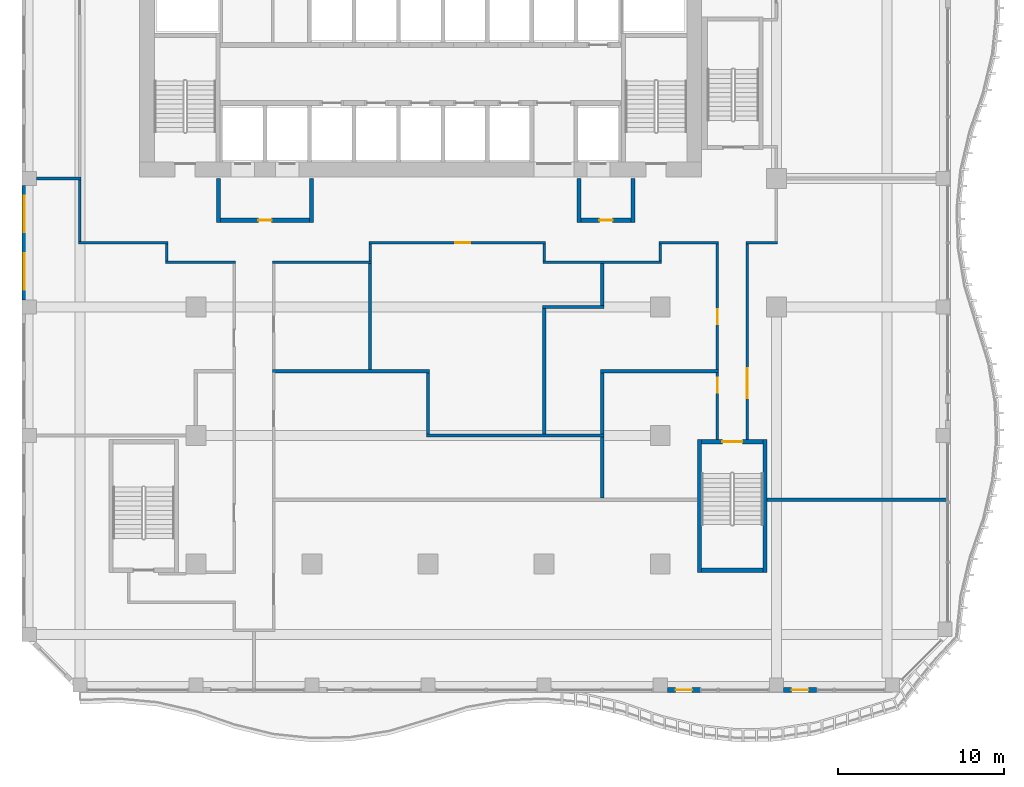
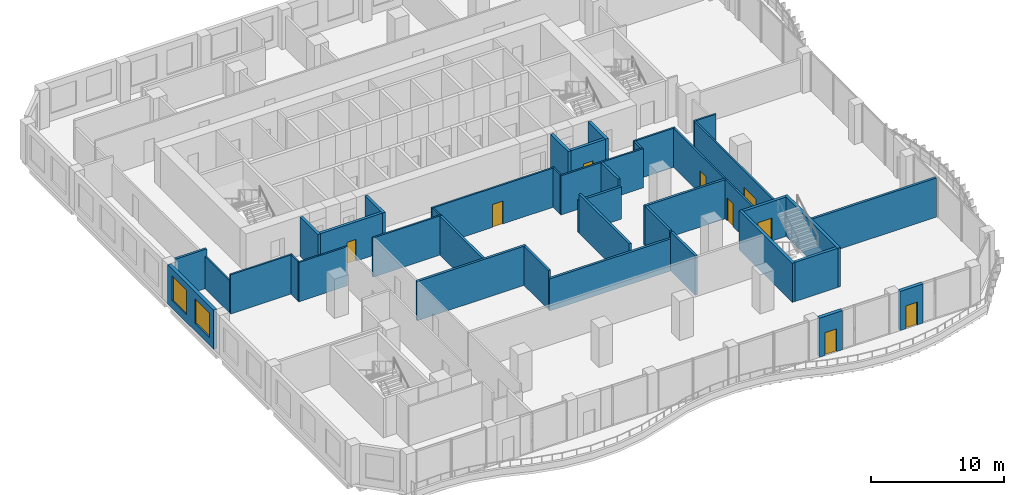
# One storey, part 11 of 19: 40 walls, 9 doors, 2 windows, 11 openings.
"""IFC4 building model written with IfcOpenShell, lengths in metres."""

import ifcopenshell
import ifcopenshell.guid

model = None  # the IFC model being written
_history = None  # IfcOwnerHistory: only IFC2X3 demands one
_inside = {}  # id of a spatial element -> (the spatial element, [elements in it])
_under = {}  # id of a project, library or spatial element -> (it, [spatial elements below it])
_declared = {}  # id of a project -> (the project, [libraries it declares])
_typed = {}  # id of a type object -> (the type object, [elements of that type])
_made_of = {}  # id of a material, layer set ... -> (it, [elements and type objects made of it])


def new_model(schema):
    """Start an empty IFC model of exactly this schema.

    Asked for "IFC4X3", IfcOpenShell would pick the latest addendum, in which some entities
    have other attributes; the version numbers below select the first issue.
    IFC2X3 requires an IfcOwnerHistory on every rooted entity: one is made here for all.
    """
    global model, _history
    if schema == "IFC4X3":
        model = ifcopenshell.file(schema_version=(4, 3, 0, 0))
    else:
        model = ifcopenshell.file(schema=schema)
    _inside.clear()
    _under.clear()
    _declared.clear()
    _typed.clear()
    _made_of.clear()
    _history = None
    if model.schema == "IFC2X3":
        org = make("IfcOrganization", Name="unknown")
        user = make(
            "IfcPersonAndOrganization",
            ThePerson=make("IfcPerson", FamilyName="unknown"),
            TheOrganization=org,
        )
        app = make(
            "IfcApplication",
            ApplicationDeveloper=org,
            Version="unknown",
            ApplicationFullName="unknown",
            ApplicationIdentifier="unknown",
        )
        _history = make(
            "IfcOwnerHistory",
            OwningUser=user,
            OwningApplication=app,
            ChangeAction="ADDED",
            CreationDate=0,
        )
    return model


def make(cls, **values):
    """One entity of the class cls with the attributes given. An attribute that is None is left unset."""
    return model.create_entity(
        cls, **{name: value for name, value in values.items() if value is not None}
    )


def rooted(cls, **values):
    """An entity with a GlobalId (a new one), such as an element, a storey or a relation."""
    return make(cls, GlobalId=ifcopenshell.guid.new(), OwnerHistory=_history, **values)


def si_unit(unit_type, name, prefix=None):
    """IfcSIUnit, for example si_unit("LENGTHUNIT", "METRE", prefix="MILLI")."""
    return make("IfcSIUnit", UnitType=unit_type, Prefix=prefix, Name=name)


def assignment(units):
    """IfcUnitAssignment: the units of a project."""
    return None if units is None else make("IfcUnitAssignment", Units=units)


def point(xyz):
    """IfcCartesianPoint."""
    return None if xyz is None else make("IfcCartesianPoint", Coordinates=xyz)


def direction(xyz):
    """IfcDirection."""
    return None if xyz is None else make("IfcDirection", DirectionRatios=xyz)


def frame(location, z_axis=None, x_axis=None):
    """IfcAxis2Placement3D, a coordinate frame: its origin and axes. An axis left out is left unset."""
    return make(
        "IfcAxis2Placement3D",
        Location=point(location),
        Axis=direction(z_axis),
        RefDirection=direction(x_axis),
    )


def frame_2d(location, x_axis=None):
    """IfcAxis2Placement2D, a coordinate frame in the plane: its origin and x axis."""
    return make(
        "IfcAxis2Placement2D", Location=point(location), RefDirection=direction(x_axis)
    )


def origin():
    """The frame at (0, 0, 0) with its axes left unset."""
    return frame((0.0, 0.0, 0.0))


def place(relative_to, where):
    """IfcLocalPlacement: puts the frame where relative to a parent placement (None: the world)."""
    return make(
        "IfcLocalPlacement", PlacementRelTo=relative_to, RelativePlacement=where
    )


def context(
    kind, dimensions, precision=None, world=None, true_north=None, identifier=None
):
    """IfcGeometricRepresentationContext, for example the 3D "Model" context."""
    return make(
        "IfcGeometricRepresentationContext",
        ContextIdentifier=identifier,
        ContextType=kind,
        CoordinateSpaceDimension=dimensions,
        Precision=precision,
        WorldCoordinateSystem=world,
        TrueNorth=true_north,
    )


def subcontext(parent, identifier, kind, view, scale=None):
    """IfcGeometricRepresentationSubContext, for example "Body" below "Model"."""
    return make(
        "IfcGeometricRepresentationSubContext",
        ContextIdentifier=identifier,
        ContextType=kind,
        ParentContext=parent,
        TargetScale=scale,
        TargetView=view,
    )


def project(units=None, contexts=None):
    """IfcProject with its units and contexts."""
    return rooted(
        "IfcProject",
        Name="project",
        RepresentationContexts=contexts,
        UnitsInContext=assignment(units),
    )


def spatial(cls, under=None, at=None, **own):
    """A site, building, storey or space (cls), placed at a placement, below another one or the project."""
    s = rooted(cls, ObjectPlacement=at, **own)
    if under is not None:
        _under.setdefault(under.id(), (under, []))[1].append(s)
    return s


def profile(cls, at=None, kind="AREA", **sizes):
    """A parametric profile (cls). Its sizes go by their IFC names, for example OverallWidth=200.0."""
    return make(cls, ProfileType=kind, Position=at, **sizes)


def rectangle(**sizes):
    """IfcRectangleProfileDef."""
    return profile("IfcRectangleProfileDef", **sizes)


def extrude(swept, where, along, depth):
    """IfcExtrudedAreaSolid: the profile swept, set in the frame where, extruded along a direction by depth."""
    return make(
        "IfcExtrudedAreaSolid",
        SweptArea=swept,
        Position=where,
        ExtrudedDirection=direction(along),
        Depth=depth,
    )


def shape(context_of_items, identifier, shape_type, items):
    """IfcShapeRepresentation: the items that make up one representation, for example the "Body"."""
    return make(
        "IfcShapeRepresentation",
        ContextOfItems=context_of_items,
        RepresentationIdentifier=identifier,
        RepresentationType=shape_type,
        Items=items,
    )


def source(mapping_origin, context_of_items, identifier, shape_type, items):
    """IfcRepresentationMap: a shape defined once, which mapped items show again and again."""
    return make(
        "IfcRepresentationMap",
        MappingOrigin=mapping_origin,
        MappedRepresentation=shape(context_of_items, identifier, shape_type, items),
    )


def transform(
    local_origin,
    x_axis=None,
    y_axis=None,
    z_axis=None,
    scale=None,
    scale2=None,
    scale3=None,
    uniform=True,
):
    """IfcCartesianTransformationOperator3D, or its non-uniform kind. x_axis, y_axis, z_axis: its Axis1, 2, 3."""
    if uniform:
        return make(
            "IfcCartesianTransformationOperator3D",
            Axis1=direction(x_axis),
            Axis2=direction(y_axis),
            LocalOrigin=point(local_origin),
            Scale=scale,
            Axis3=direction(z_axis),
        )
    return make(
        "IfcCartesianTransformationOperator3DnonUniform",
        Axis1=direction(x_axis),
        Axis2=direction(y_axis),
        LocalOrigin=point(local_origin),
        Scale=scale,
        Axis3=direction(z_axis),
        Scale2=scale2,
        Scale3=scale3,
    )


def mapped(mapping_source, mapping_target):
    """IfcMappedItem: shows the shape of a source again, moved by a transform."""
    return make(
        "IfcMappedItem", MappingSource=mapping_source, MappingTarget=mapping_target
    )


def material(Name=None, Category=None):
    """IfcMaterial."""
    return make("IfcMaterial", Name=Name, Category=Category)


def layer(
    of_material, thickness, ventilated=None, Name=None, Category=None, Priority=None
):
    """IfcMaterialLayer: one layer of a wall or slab, of a material (None: an air gap)."""
    return make(
        "IfcMaterialLayer",
        Material=of_material,
        LayerThickness=thickness,
        IsVentilated=ventilated,
        Name=Name,
        Category=Category,
        Priority=Priority,
    )


def layer_set(layers, Name=None):
    """IfcMaterialLayerSet."""
    return make("IfcMaterialLayerSet", MaterialLayers=layers, LayerSetName=Name)


def made_of(thing, what):
    """Note that an element or type object is made of a material, layer set ...; save() writes the relation."""
    if what is not None:
        _made_of.setdefault(what.id(), (what, []))[1].append(thing)
    return thing


def type_object(cls, material=None, **own):
    """A type object (cls), such as IfcWallType, which elements share."""
    return made_of(rooted(cls, **own), material)


def element(
    cls,
    number,
    at=None,
    inside=None,
    cuts=None,
    type_object=None,
    material=None,
    context=None,
    identifier="Body",
    shape_type=None,
    held_by="IfcProductDefinitionShape",
    body=None,
    shapes=None,
    **own,
):
    """One element of the class cls, such as IfcWall. Its Tag is "e" and its number.

    at: its placement. inside: the storey or other place that contains it. cuts: it is an
    opening in that element (IfcRelVoidsElement). A single representation is given by context,
    identifier, shape_type and body (its items); several are given by shapes. held_by: the class
    of the entity that holds the representations. save() writes the other relations.
    """
    e = rooted(cls, Tag="e%d" % number, ObjectPlacement=at, **own)
    if body is not None:
        shapes = [shape(context, identifier, shape_type, body)]
    if shapes is not None:
        e.Representation = make(held_by, Representations=shapes)
    if inside is not None:
        _inside.setdefault(inside.id(), (inside, []))[1].append(e)
    if cuts is not None:
        rooted(
            "IfcRelVoidsElement", RelatingBuildingElement=cuts, RelatedOpeningElement=e
        )
    if type_object is not None:
        _typed.setdefault(type_object.id(), (type_object, []))[1].append(e)
    return made_of(e, material)


def fill(opening, filler):
    """IfcRelFillsElement: the door or window that sits in an opening."""
    return rooted(
        "IfcRelFillsElement",
        RelatingOpeningElement=opening,
        RelatedBuildingElement=filler,
    )


def aggregate(whole, parts):
    """IfcRelAggregates: a whole, such as a stair, and the parts it consists of."""
    return rooted("IfcRelAggregates", RelatingObject=whole, RelatedObjects=parts)


def save(model, path):
    """Write the relations noted so far, then the file.

    IfcRelAggregates (storeys below a building ...), IfcRelContainedInSpatialStructure (elements
    in a storey), IfcRelDefinesByType, IfcRelAssociatesMaterial and IfcRelDeclares: one each for
    every whole, place, type object, material and project.
    """
    for whole, parts in _under.values():
        aggregate(whole, parts)
    for where, things in _inside.values():
        rooted(
            "IfcRelContainedInSpatialStructure",
            RelatedElements=things,
            RelatingStructure=where,
        )
    for kind, things in _typed.values():
        rooted("IfcRelDefinesByType", RelatedObjects=things, RelatingType=kind)
    for what, things in _made_of.values():
        rooted("IfcRelAssociatesMaterial", RelatedObjects=things, RelatingMaterial=what)
    for by, libraries in _declared.values():
        rooted("IfcRelDeclares", RelatingContext=by, RelatedDefinitions=libraries)
    model.write(path)


model = new_model("IFC4")

# Units and contexts
model_context = context("Model", 3, precision=1e-05, world=origin(), true_north=direction((0.0, 1.0)))
body_context = subcontext(model_context, "Body", "Model", "MODEL_VIEW")
ifc_project = project(units=[si_unit("LENGTHUNIT", "METRE"), si_unit("AREAUNIT", "SQUARE_METRE"), si_unit("VOLUMEUNIT", "CUBIC_METRE"), si_unit("PLANEANGLEUNIT", "RADIAN"), si_unit("MASSUNIT", "GRAM", prefix="KILO")], contexts=[model_context])

# Site, building, storey
site_placement = place(None, origin())
site = spatial("IfcSite", under=ifc_project, at=site_placement, CompositionType="ELEMENT")
building_placement = place(site_placement, origin())
building = spatial("IfcBuilding", under=site, at=building_placement, Name="Kilnfold Tower and Market Hall", CompositionType="ELEMENT")
storey_placement = place(building_placement, frame((0.0, 0.0, 124.60009765625)))
storey = spatial("IfcBuildingStorey", under=building, at=storey_placement, Name="L29", CompositionType="ELEMENT", Elevation=124.60009765625)

# Walls
ifc_material_1 = material(Name="Gypsum board on steel studs", Category="steel")
ifc_layer_1 = layer(ifc_material_1, 0.14990234375)
ifc_layer_set_1 = layer_set([ifc_layer_1], Name="Gypsum board on steel studs")
wall_type_1 = type_object("IfcWallType", Name="WALL CORRIDOR 150", PredefinedType="PARTITIONING", material=ifc_layer_set_1)
wall_1_placement = place(storey_placement, frame((-14.3349609375, 2.949951171875, 0.0), z_axis=(0.0, 0.0, 1.0), x_axis=(1.0, 0.0, 0.0)))
element("IfcWall", 1, at=wall_1_placement, inside=storey, type_object=wall_type_1, Name="Partition LY18.2", PredefinedType="PARTITIONING", context=body_context, shape_type="SweptSolid", body=[
    extrude(rectangle(XDim=4.2099609375, YDim=0.14990234375, at=frame_2d((2.10498046875, 0.0))), origin(), (0.0, 0.0, 1.0), 3.599853515625),
])
wall_2_placement = place(storey_placement, frame((-14.260009765625, 4.050048828125, 0.0), z_axis=(0.0, 0.0, 1.0), x_axis=(0.0, -1.0, 0.0)))
element("IfcWall", 2, at=wall_2_placement, inside=storey, type_object=wall_type_1, Name="Partition LY18.3", PredefinedType="PARTITIONING", context=body_context, shape_type="SweptSolid", body=[
    extrude(rectangle(XDim=1.025146484375, YDim=0.14990234375, at=frame_2d((0.5126953125, 0.0))), origin(), (0.0, 0.0, 1.0), 3.599853515625),
])
wall_3_placement = place(storey_placement, frame((-19.574951171875, 4.125, 0.0), z_axis=(0.0, 0.0, 1.0), x_axis=(1.0, 0.0, 0.0)))
element("IfcWall", 3, at=wall_3_placement, inside=storey, type_object=wall_type_1, Name="Partition LY18.4", PredefinedType="PARTITIONING", context=body_context, shape_type="SweptSolid", body=[
    extrude(rectangle(XDim=5.389892578125, YDim=0.14990234375, at=frame_2d((2.69482421875, 0.0))), origin(), (0.0, 0.0, 1.0), 3.599853515625),
])
wall_4_placement = place(storey_placement, frame((-19.5, 4.199951171875, 0.0), z_axis=(0.0, 0.0, 1.0), x_axis=(0.0, 1.0, 0.0)))
element("IfcWall", 4, at=wall_4_placement, inside=storey, type_object=wall_type_1, Name="Partition LY18.5", PredefinedType="PARTITIONING", context=body_context, shape_type="SweptSolid", body=[
    extrude(rectangle(XDim=3.7099609375, YDim=0.14990234375, at=frame_2d((1.85498046875, 0.0))), origin(), (0.0, 0.0, 1.0), 2.949951171875),
])
wall_5_placement = place(storey_placement, frame((-7.875, 2.949951171875, 0.0), z_axis=(0.0, 0.0, 1.0), x_axis=(1.0, 0.0, 0.0)))
element("IfcWall", 5, at=wall_5_placement, inside=storey, type_object=wall_type_1, Name="Partition LY18.13", PredefinedType="PARTITIONING", context=body_context, shape_type="SweptSolid", body=[
    extrude(rectangle(XDim=5.97509765625, YDim=0.14990234375, at=frame_2d((2.987548828125, 0.0))), origin(), (0.0, 0.0, 1.0), 3.599853515625),
])
wall_6_placement = place(storey_placement, frame((8.425048828125, 2.949951171875, 0.0), z_axis=(0.0, 0.0, 1.0), x_axis=(1.0, 0.0, 0.0)))
element("IfcWall", 6, at=wall_6_placement, inside=storey, type_object=wall_type_1, Name="Partition LY18.17", PredefinedType="PARTITIONING", context=body_context, shape_type="SweptSolid", body=[
    extrude(rectangle(XDim=7.14990234375, YDim=0.14990234375, at=frame_2d((3.574951171875, 0.0))), origin(), (0.0, 0.0, 1.0), 3.599853515625),
])
wall_7_placement = place(storey_placement, frame((8.5, 4.050048828125, 0.0), z_axis=(0.0, 0.0, 1.0), x_axis=(0.0, -1.0, 0.0)))
element("IfcWall", 7, at=wall_7_placement, inside=storey, type_object=wall_type_1, Name="Partition LY18.18", PredefinedType="PARTITIONING", context=body_context, shape_type="SweptSolid", body=[
    extrude(rectangle(XDim=1.025146484375, YDim=0.14990234375, at=frame_2d((0.5126953125, 0.0))), origin(), (0.0, 0.0, 1.0), 3.599853515625),
])

# Wall, opening, door
wall_8_placement = place(storey_placement, frame((-2.074951171875, 4.125, 0.0), z_axis=(0.0, 0.0, 1.0), x_axis=(1.0, 0.0, 0.0)))
wall_8 = element("IfcWall", 8, at=wall_8_placement, inside=storey, type_object=wall_type_1, Name="Partition LY18.19", PredefinedType="PARTITIONING", context=body_context, shape_type="SweptSolid", body=[
    extrude(rectangle(XDim=10.64990234375, YDim=0.14990234375, at=frame_2d((5.324951171875, 0.0))), origin(), (0.0, 0.0, 1.0), 3.599853515625),
])
opening_1_placement = place(wall_8_placement, frame((5.22705078125, 0.0, 0.0)))
opening_1 = element("IfcOpeningElement", 9, at=opening_1_placement, cuts=wall_8, Name="Opening D2", PredefinedType="OPENING", context=body_context, shape_type="SweptSolid", body=[
    extrude(rectangle(XDim=0.89990234375, YDim=2.10009765625, at=frame_2d((0.449951171875, 1.050048828125))), frame((0.0, 0.0849609375, 0.0), z_axis=(0.0, -1.0, 0.0), x_axis=(1.0, 0.0, 0.0)), (0.0, 0.0, 1.0), 0.169921875),
])
ifc_material_2 = material(Name="Timber veneer door leaf in steel frame", Category="steel")
door_type_1 = type_object("IfcDoorType", Name="DOOR ROOM 900 X2100", OperationType="NOTDEFINED", PredefinedType="DOOR", material=ifc_material_2)
door_1_placement = place(opening_1_placement, origin())
door_1 = element("IfcDoor", 10, at=door_1_placement, inside=storey, type_object=door_type_1, Name="Door D2", OperationType="SINGLE_SWING_LEFT", OverallHeight=2.10009765625, OverallWidth=0.89990234375, PredefinedType="DOOR", context=body_context, shape_type="SweptSolid", body=[
    extrude(rectangle(XDim=0.89990234375, YDim=2.10009765625, at=frame_2d((0.449951171875, 1.050048828125))), frame((0.0, 0.02490234375, 0.0), z_axis=(0.0, -1.0, 0.0), x_axis=(1.0, 0.0, 0.0)), (0.0, 0.0, 1.0), 0.050048828125),
])
fill(opening_1, door_1)

# Wall
wall_9_placement = place(storey_placement, frame((-2.0, 3.02490234375, 0.0), z_axis=(0.0, 0.0, 1.0), x_axis=(0.0, 1.0, 0.0)))
element("IfcWall", 11, at=wall_9_placement, inside=storey, type_object=wall_type_1, Name="Partition LY18.20", PredefinedType="PARTITIONING", context=body_context, shape_type="SweptSolid", body=[
    extrude(rectangle(XDim=1.025146484375, YDim=0.14990234375, at=frame_2d((0.5126953125, 0.0))), origin(), (0.0, 0.0, 1.0), 3.599853515625),
])

# Wall, opening, door
wall_10_placement = place(storey_placement, frame((18.949951171875, -7.75, 0.0), z_axis=(0.0, 0.0, 1.0), x_axis=(0.0, 1.0, 0.0)))
wall_10 = element("IfcWall", 12, at=wall_10_placement, inside=storey, type_object=wall_type_1, Name="Partition LY18.21", PredefinedType="PARTITIONING", context=body_context, shape_type="SweptSolid", body=[
    extrude(rectangle(XDim=4.034912109375, YDim=0.14990234375, at=frame_2d((2.017578125, 0.0))), origin(), (0.0, 0.0, 1.0), 3.599853515625),
])
opening_2_placement = place(wall_10_placement, frame((2.833984375, 0.0, 0.0)))
opening_2 = element("IfcOpeningElement", 13, at=opening_2_placement, cuts=wall_10, Name="Opening D3", PredefinedType="OPENING", context=body_context, shape_type="SweptSolid", body=[
    extrude(rectangle(XDim=0.89990234375, YDim=2.10009765625, at=frame_2d((0.449951171875, 1.050048828125))), frame((0.0, 0.0849609375, 0.0), z_axis=(0.0, -1.0, 0.0), x_axis=(1.0, 0.0, 0.0)), (0.0, 0.0, 1.0), 0.169921875),
])
ifc_material_3 = material(Name="Timber veneer door leaf in steel frame", Category="steel")
door_type_2 = type_object("IfcDoorType", Name="DOOR WC 900 X2100", OperationType="NOTDEFINED", PredefinedType="DOOR", material=ifc_material_3)
door_2_placement = place(opening_2_placement, origin())
door_2 = element("IfcDoor", 14, at=door_2_placement, inside=storey, type_object=door_type_2, Name="Door D3", OperationType="SINGLE_SWING_RIGHT", OverallHeight=2.10009765625, OverallWidth=0.89990234375, PredefinedType="DOOR", context=body_context, shape_type="SweptSolid", body=[
    extrude(rectangle(XDim=0.89990234375, YDim=2.10009765625, at=frame_2d((0.449951171875, 1.050048828125))), frame((0.0, 0.02490234375, 0.0), z_axis=(0.0, -1.0, 0.0), x_axis=(1.0, 0.0, 0.0)), (0.0, 0.0, 1.0), 0.050048828125),
])
fill(opening_2, door_2)

# Wall
wall_11_placement = place(storey_placement, frame((20.675048828125, 4.125, 0.0), z_axis=(0.0, 0.0, 1.0), x_axis=(1.0, 0.0, 0.0)))
element("IfcWall", 15, at=wall_11_placement, inside=storey, type_object=wall_type_1, Name="Partition LY18.23", PredefinedType="PARTITIONING", context=body_context, shape_type="SweptSolid", body=[
    extrude(rectangle(XDim=1.89990234375, YDim=0.14990234375, at=frame_2d((0.949951171875, 0.0))), origin(), (0.0, 0.0, 1.0), 3.599853515625),
])

# Wall, opening, door
wall_12_placement = place(storey_placement, frame((20.75, -7.75, 0.0), z_axis=(0.0, 0.0, 1.0), x_axis=(0.0, 1.0, 0.0)))
wall_12 = element("IfcWall", 16, at=wall_12_placement, inside=storey, type_object=wall_type_1, Name="Partition LY18.24", PredefinedType="PARTITIONING", context=body_context, shape_type="SweptSolid", body=[
    extrude(rectangle(XDim=11.800048828125, YDim=0.14990234375, at=frame_2d((5.89990234375, 0.0))), origin(), (0.0, 0.0, 1.0), 3.599853515625),
])
opening_3_placement = place(wall_12_placement, frame((2.5, 0.0, 0.0)))
opening_3 = element("IfcOpeningElement", 17, at=opening_3_placement, cuts=wall_12, Name="Opening D5", PredefinedType="OPENING", context=body_context, shape_type="SweptSolid", body=[
    extrude(rectangle(XDim=1.800048828125, YDim=2.10009765625, at=frame_2d((0.89990234375, 1.050048828125))), frame((0.0, 0.0849609375, 0.0), z_axis=(0.0, -1.0, 0.0), x_axis=(1.0, 0.0, 0.0)), (0.0, 0.0, 1.0), 0.169921875),
])
ifc_material_4 = material(Name="Timber veneer door leaf in steel frame", Category="steel")
door_type_3 = type_object("IfcDoorType", Name="DOOR DOUBLE 1800 X2100", OperationType="NOTDEFINED", PredefinedType="DOOR", material=ifc_material_4)
door_3_placement = place(opening_3_placement, origin())
door_3 = element("IfcDoor", 18, at=door_3_placement, inside=storey, type_object=door_type_3, Name="Door D5", OperationType="DOUBLE_DOOR_SINGLE_SWING", OverallHeight=2.10009765625, OverallWidth=1.800048828125, PredefinedType="DOOR", context=body_context, shape_type="SweptSolid", body=[
    extrude(rectangle(XDim=1.800048828125, YDim=2.10009765625, at=frame_2d((0.89990234375, 1.050048828125))), frame((0.0, 0.02490234375, 0.0), z_axis=(0.0, -1.0, 0.0), x_axis=(1.0, 0.0, 0.0)), (0.0, 0.0, 1.0), 0.050048828125),
])
fill(opening_3, door_3)

wall_13_placement = place(storey_placement, frame((18.949951171875, -3.534912109375, 0.0), z_axis=(0.0, 0.0, 1.0), x_axis=(0.0, 1.0, 0.0)))
wall_13 = element("IfcWall", 19, at=wall_13_placement, inside=storey, type_object=wall_type_1, Name="Partition LY18.25", PredefinedType="PARTITIONING", context=body_context, shape_type="SweptSolid", body=[
    extrude(rectangle(XDim=7.5849609375, YDim=0.14990234375, at=frame_2d((3.79248046875, 0.0))), origin(), (0.0, 0.0, 1.0), 3.599853515625),
])
opening_4_placement = place(wall_13_placement, frame((2.73388671875, 0.0, 0.0)))
opening_4 = element("IfcOpeningElement", 20, at=opening_4_placement, cuts=wall_13, Name="Opening D2", PredefinedType="OPENING", context=body_context, shape_type="SweptSolid", body=[
    extrude(rectangle(XDim=0.89990234375, YDim=2.10009765625, at=frame_2d((0.449951171875, 1.050048828125))), frame((0.0, 0.0849609375, 0.0), z_axis=(0.0, -1.0, 0.0), x_axis=(1.0, 0.0, 0.0)), (0.0, 0.0, 1.0), 0.169921875),
])
door_4_placement = place(opening_4_placement, origin())
door_4 = element("IfcDoor", 21, at=door_4_placement, inside=storey, type_object=door_type_1, Name="Door D2", OperationType="SINGLE_SWING_RIGHT", OverallHeight=2.10009765625, OverallWidth=0.89990234375, PredefinedType="DOOR", context=body_context, shape_type="SweptSolid", body=[
    extrude(rectangle(XDim=0.89990234375, YDim=2.10009765625, at=frame_2d((0.449951171875, 1.050048828125))), frame((0.0, 0.02490234375, 0.0), z_axis=(0.0, -1.0, 0.0), x_axis=(1.0, 0.0, 0.0)), (0.0, 0.0, 1.0), 0.050048828125),
])
fill(opening_4, door_4)

# Walls
wall_14_placement = place(storey_placement, frame((15.425048828125, 4.125, 0.0), z_axis=(0.0, 0.0, 1.0), x_axis=(1.0, 0.0, 0.0)))
element("IfcWall", 22, at=wall_14_placement, inside=storey, type_object=wall_type_1, Name="Partition LY18.26", PredefinedType="PARTITIONING", context=body_context, shape_type="SweptSolid", body=[
    extrude(rectangle(XDim=3.599853515625, YDim=0.14990234375, at=frame_2d((1.7998046875, 0.0))), origin(), (0.0, 0.0, 1.0), 3.599853515625),
])
wall_15_placement = place(storey_placement, frame((15.5, 3.02490234375, 0.0), z_axis=(0.0, 0.0, 1.0), x_axis=(0.0, 1.0, 0.0)))
element("IfcWall", 23, at=wall_15_placement, inside=storey, type_object=wall_type_1, Name="Partition LY18.27", PredefinedType="PARTITIONING", context=body_context, shape_type="SweptSolid", body=[
    extrude(rectangle(XDim=1.025146484375, YDim=0.14990234375, at=frame_2d((0.5126953125, 0.0))), origin(), (0.0, 0.0, 1.0), 3.599853515625),
])
ifc_material_5 = material(Name="Gypsum board on steel studs", Category="steel")
ifc_layer_2 = layer(ifc_material_5, 0.199951171875)
ifc_layer_set_2 = layer_set([ifc_layer_2], Name="Gypsum board on steel studs")
wall_type_2 = type_object("IfcWallType", Name="WALL PARTY 200", PredefinedType="PARTITIONING", material=ifc_layer_set_2)
wall_16_placement = place(storey_placement, frame((-22.125, 8.0, 0.0), z_axis=(0.0, 0.0, 1.0), x_axis=(1.0, 0.0, 0.0)))
element("IfcWall", 24, at=wall_16_placement, inside=storey, type_object=wall_type_2, Name="Partition LY18.39", PredefinedType="PARTITIONING", context=body_context, shape_type="SweptSolid", body=[
    extrude(rectangle(XDim=2.698974609375, YDim=0.199951171875, at=frame_2d((1.349609375, 0.0))), origin(), (0.0, 0.0, 1.0), 3.599853515625),
])
wall_17_placement = place(storey_placement, frame((-7.8740234375, -3.625, 0.0), z_axis=(0.0, 0.0, 1.0), x_axis=(1.0, 0.0, 0.0)))
element("IfcWall", 25, at=wall_17_placement, inside=storey, type_object=wall_type_2, Name="Partition LY18.41", PredefinedType="PARTITIONING", context=body_context, shape_type="SweptSolid", body=[
    extrude(rectangle(XDim=9.47412109375, YDim=0.199951171875, at=frame_2d((4.737060546875, 0.0))), origin(), (0.0, 0.0, 1.0), 3.599853515625),
])
wall_18_placement = place(storey_placement, frame((-2.0, -3.52490234375, 0.0), z_axis=(0.0, 0.0, 1.0), x_axis=(0.0, 1.0, 0.0)))
element("IfcWall", 26, at=wall_18_placement, inside=storey, type_object=wall_type_2, Name="Partition LY18.42", PredefinedType="PARTITIONING", context=body_context, shape_type="SweptSolid", body=[
    extrude(rectangle(XDim=6.39892578125, YDim=0.199951171875, at=frame_2d((3.199462890625, 0.0))), origin(), (0.0, 0.0, 1.0), 3.599853515625),
])
wall_19_placement = place(storey_placement, frame((1.5, -7.39990234375, 0.0), z_axis=(0.0, 0.0, 1.0), x_axis=(0.0, 1.0, 0.0)))
element("IfcWall", 27, at=wall_19_placement, inside=storey, type_object=wall_type_2, Name="Partition LY18.44", PredefinedType="PARTITIONING", context=body_context, shape_type="SweptSolid", body=[
    extrude(rectangle(XDim=3.6748046875, YDim=0.199951171875, at=frame_2d((1.83740234375, 0.0))), origin(), (0.0, 0.0, 1.0), 3.599853515625),
])
wall_20_placement = place(storey_placement, frame((1.39990234375, -7.5, 0.0), z_axis=(0.0, 0.0, 1.0), x_axis=(1.0, 0.0, 0.0)))
element("IfcWall", 28, at=wall_20_placement, inside=storey, type_object=wall_type_2, Name="Partition LY18.45", PredefinedType="PARTITIONING", context=body_context, shape_type="SweptSolid", body=[
    extrude(rectangle(XDim=10.7001953125, YDim=0.199951171875, at=frame_2d((5.35009765625, 0.0))), origin(), (0.0, 0.0, 1.0), 2.949951171875),
])
wall_21_placement = place(storey_placement, frame((12.0, -11.27490234375, 0.0), z_axis=(0.0, 0.0, 1.0), x_axis=(0.0, 1.0, 0.0)))
element("IfcWall", 29, at=wall_21_placement, inside=storey, type_object=wall_type_2, Name="Partition LY18.46", PredefinedType="PARTITIONING", context=body_context, shape_type="SweptSolid", body=[
    extrude(rectangle(XDim=3.6748046875, YDim=0.199951171875, at=frame_2d((1.83740234375, 0.0))), origin(), (0.0, 0.0, 1.0), 3.599853515625),
])
wall_22_placement = place(storey_placement, frame((21.949951171875, -11.375, 0.0), z_axis=(0.0, 0.0, 1.0), x_axis=(1.0, 0.0, 0.0)))
element("IfcWall", 30, at=wall_22_placement, inside=storey, type_object=wall_type_2, Name="Partition LY18.47", PredefinedType="PARTITIONING", context=body_context, shape_type="SweptSolid", body=[
    extrude(rectangle(XDim=10.800048828125, YDim=0.199951171875, at=frame_2d((5.39990234375, 0.0))), origin(), (0.0, 0.0, 1.0), 3.599853515625),
])
wall_23_placement = place(storey_placement, frame((12.0, 0.35009765625, 0.0), z_axis=(0.0, 0.0, 1.0), x_axis=(0.0, 1.0, 0.0)))
element("IfcWall", 31, at=wall_23_placement, inside=storey, type_object=wall_type_2, Name="Partition LY18.48", PredefinedType="PARTITIONING", context=body_context, shape_type="SweptSolid", body=[
    extrude(rectangle(XDim=2.52392578125, YDim=0.199951171875, at=frame_2d((1.261962890625, 0.0))), origin(), (0.0, 0.0, 1.0), 3.599853515625),
])
wall_24_placement = place(storey_placement, frame((8.39990234375, 0.25, 0.0), z_axis=(0.0, 0.0, 1.0), x_axis=(1.0, 0.0, 0.0)))
element("IfcWall", 32, at=wall_24_placement, inside=storey, type_object=wall_type_2, Name="Partition LY18.49", PredefinedType="PARTITIONING", context=body_context, shape_type="SweptSolid", body=[
    extrude(rectangle(XDim=3.7001953125, YDim=0.199951171875, at=frame_2d((1.85009765625, 0.0))), origin(), (0.0, 0.0, 1.0), 2.949951171875),
])
wall_25_placement = place(storey_placement, frame((8.5, -7.39990234375, 0.0), z_axis=(0.0, 0.0, 1.0), x_axis=(0.0, 1.0, 0.0)))
element("IfcWall", 33, at=wall_25_placement, inside=storey, type_object=wall_type_2, Name="Partition LY18.50", PredefinedType="PARTITIONING", context=body_context, shape_type="SweptSolid", body=[
    extrude(rectangle(XDim=7.5498046875, YDim=0.199951171875, at=frame_2d((3.77490234375, 0.0))), origin(), (0.0, 0.0, 1.0), 3.599853515625),
])
wall_26_placement = place(storey_placement, frame((12.0, -7.409912109375, 0.0), z_axis=(0.0, 0.0, 1.0), x_axis=(0.0, 1.0, 0.0)))
element("IfcWall", 34, at=wall_26_placement, inside=storey, type_object=wall_type_2, Name="Partition LY18.51", PredefinedType="PARTITIONING", context=body_context, shape_type="SweptSolid", body=[
    extrude(rectangle(XDim=3.684814453125, YDim=0.199951171875, at=frame_2d((1.84228515625, 0.0))), origin(), (0.0, 0.0, 1.0), 3.599853515625),
])
wall_27_placement = place(storey_placement, frame((11.89990234375, -3.625, 0.0), z_axis=(0.0, 0.0, 1.0), x_axis=(1.0, 0.0, 0.0)))
element("IfcWall", 35, at=wall_27_placement, inside=storey, type_object=wall_type_2, Name="Partition LY18.52", PredefinedType="PARTITIONING", context=body_context, shape_type="SweptSolid", body=[
    extrude(rectangle(XDim=7.1240234375, YDim=0.199951171875, at=frame_2d((3.56201171875, 0.0))), origin(), (0.0, 0.0, 1.0), 3.599853515625),
])
ifc_material_6 = material(Name="Concrete C70", Category="concrete")
ifc_layer_3 = layer(ifc_material_6, 0.25)
ifc_layer_set_3 = layer_set([ifc_layer_3], Name="Concrete C70")
wall_type_3 = type_object("IfcWallType", Name="CORE WALL 250 C70", PredefinedType="SHEAR", material=ifc_layer_set_3)
shared_shape_1 = source(origin(), body_context, "Body", "SweptSolid", [
    extrude(rectangle(XDim=3.699951171875, YDim=0.25, at=frame_2d((1.85009765625, 0.0))), origin(), (0.0, 0.0, 1.0), 3.599853515625),
])
wall_28_placement = place(storey_placement, frame((18.0, -15.625, 0.0), z_axis=(0.0, 0.0, 1.0), x_axis=(1.0, 0.0, 0.0)))
element("IfcWall", 36, at=wall_28_placement, inside=storey, type_object=wall_type_3, Name="Stair enclosure ST4", PredefinedType="SHEAR", context=body_context, shape_type="MappedRepresentation", body=[
    mapped(shared_shape_1, transform((0.0, 0.0, 0.0))),
])

# Wall, opening, door
wall_29_placement = place(storey_placement, frame((18.0, -7.875, 0.0), z_axis=(0.0, 0.0, 1.0), x_axis=(1.0, 0.0, 0.0)))
wall_29 = element("IfcWall", 37, at=wall_29_placement, inside=storey, type_object=wall_type_3, Name="Stair enclosure ST4", PredefinedType="SHEAR", context=body_context, shape_type="MappedRepresentation", body=[
    mapped(shared_shape_1, transform((0.0, 0.0, 0.0))),
])
opening_5_placement = place(wall_29_placement, frame((1.25, 0.0, 0.0)))
opening_5 = element("IfcOpeningElement", 38, at=opening_5_placement, cuts=wall_29, Name="Opening SD1", PredefinedType="OPENING", context=body_context, shape_type="SweptSolid", body=[
    extrude(rectangle(XDim=1.199951171875, YDim=2.10009765625, at=frame_2d((0.60009765625, 1.050048828125))), frame((0.0, 0.135009765625, 0.0), z_axis=(0.0, -1.0, 0.0), x_axis=(1.0, 0.0, 0.0)), (0.0, 0.0, 1.0), 0.27001953125),
])
ifc_material_7 = material(Name="Steel door set with fire-resisting leaf", Category="steel")
door_type_4 = type_object("IfcDoorType", Name="STAIR FLOOR DOOR 1200X2100", OperationType="NOTDEFINED", PredefinedType="DOOR", material=ifc_material_7)
door_5_placement = place(opening_5_placement, origin())
door_5 = element("IfcDoor", 39, at=door_5_placement, inside=storey, type_object=door_type_4, Name="Exit stair ST4 door", OperationType="DOUBLE_DOOR_SINGLE_SWING", OverallHeight=2.10009765625, OverallWidth=1.199951171875, PredefinedType="DOOR", context=body_context, shape_type="SweptSolid", body=[
    extrude(rectangle(XDim=1.199951171875, YDim=2.10009765625, at=frame_2d((0.60009765625, 1.050048828125))), frame((0.0, 0.02490234375, 0.0), z_axis=(0.0, -1.0, 0.0), x_axis=(1.0, 0.0, 0.0)), (0.0, 0.0, 1.0), 0.050048828125),
])
fill(opening_5, door_5)

# Walls
shared_shape_2 = source(origin(), body_context, "Body", "SweptSolid", [
    extrude(rectangle(XDim=8.0, YDim=0.25, at=frame_2d((4.0, 0.0))), origin(), (0.0, 0.0, 1.0), 3.599853515625),
])
for number, where, z_axis, x_axis, name in (
    (40, (17.875, -15.75, 0.0), (0.0, 0.0, 1.0), (0.0, 1.0, 0.0), "Stair enclosure ST4"),
    (41, (21.824951171875, -15.75, 0.0), (0.0, 0.0, 1.0), (0.0, 1.0, 0.0), "Stair enclosure ST4"),
):
    element("IfcWall", number, at=place(storey_placement, frame(where, z_axis=z_axis, x_axis=x_axis)), inside=storey, type_object=wall_type_3, Name=name, PredefinedType="SHEAR", context=body_context, shape_type="MappedRepresentation", body=[
        mapped(shared_shape_2, transform((0.0, 0.0, 0.0))),
    ])

# Wall, opening, door
ifc_material_8 = material(Name="Precast concrete C50/60", Category="concrete")
ifc_layer_4 = layer(ifc_material_8, 0.300048828125)
ifc_layer_set_4 = layer_set([ifc_layer_4], Name="Precast concrete C50/60")
wall_type_4 = type_object("IfcWallType", Name="PRECAST WALL 300", PredefinedType="SOLIDWALL", material=ifc_layer_set_4)
shared_shape_3 = source(origin(), body_context, "Body", "SweptSolid", [
    extrude(rectangle(XDim=2.0, YDim=0.300048828125, at=frame_2d((1.0, 0.0))), origin(), (0.0, 0.0, 1.0), 3.599853515625),
])
wall_30_placement = place(storey_placement, frame((15.925048828125, -22.85009765625, 0.0), z_axis=(0.0, 0.0, 1.0), x_axis=(1.0, 0.0, 0.0)))
wall_30 = element("IfcWall", 42, at=wall_30_placement, inside=storey, type_object=wall_type_4, Name="External wall L29 S", PredefinedType="SOLIDWALL", context=body_context, shape_type="MappedRepresentation", body=[
    mapped(shared_shape_3, transform((0.0, 0.0, 0.0))),
])
opening_6_placement = place(wall_30_placement, frame((0.5, 0.0, 0.0)))
opening_6 = element("IfcOpeningElement", 43, at=opening_6_placement, cuts=wall_30, Name="Opening BD1", PredefinedType="OPENING", context=body_context, shape_type="SweptSolid", body=[
    extrude(rectangle(XDim=1.0, YDim=2.10009765625, at=frame_2d((0.5, 1.050048828125))), frame((0.0, 0.16015625, 0.0), z_axis=(0.0, -1.0, 0.0), x_axis=(1.0, 0.0, 0.0)), (0.0, 0.0, 1.0), 0.320068359375),
])
ifc_material_9 = material(Name="Aluminium frame and double glazing", Category="aluminium")
door_type_5 = type_object("IfcDoorType", Name="BALCONY DOOR 1000X2100", OperationType="NOTDEFINED", PredefinedType="DOOR", material=ifc_material_9)
door_6_placement = place(opening_6_placement, origin())
door_6 = element("IfcDoor", 44, at=door_6_placement, inside=storey, type_object=door_type_5, Name="Balcony door BD1 L29 S-1", OperationType="SINGLE_SWING_LEFT", OverallHeight=2.10009765625, OverallWidth=1.0, PredefinedType="DOOR", context=body_context, shape_type="SweptSolid", body=[
    extrude(rectangle(XDim=1.0, YDim=2.10009765625, at=frame_2d((0.5, 1.050048828125))), frame((0.0, 0.02490234375, 0.0), z_axis=(0.0, -1.0, 0.0), x_axis=(1.0, 0.0, 0.0)), (0.0, 0.0, 1.0), 0.050048828125),
])
fill(opening_6, door_6)

wall_31_placement = place(storey_placement, frame((22.925048828125, -22.85009765625, 0.0), z_axis=(0.0, 0.0, 1.0), x_axis=(1.0, 0.0, 0.0)))
wall_31 = element("IfcWall", 45, at=wall_31_placement, inside=storey, type_object=wall_type_4, Name="External wall L29 S", PredefinedType="SOLIDWALL", context=body_context, shape_type="MappedRepresentation", body=[
    mapped(shared_shape_3, transform((0.0, 0.0, 0.0))),
])
opening_7_placement = place(wall_31_placement, frame((0.5, 0.0, 0.0)))
opening_7 = element("IfcOpeningElement", 46, at=opening_7_placement, cuts=wall_31, Name="Opening BD1", PredefinedType="OPENING", context=body_context, shape_type="SweptSolid", body=[
    extrude(rectangle(XDim=1.0, YDim=2.10009765625, at=frame_2d((0.5, 1.050048828125))), frame((0.0, 0.16015625, 0.0), z_axis=(0.0, -1.0, 0.0), x_axis=(1.0, 0.0, 0.0)), (0.0, 0.0, 1.0), 0.320068359375),
])
door_7_placement = place(opening_7_placement, origin())
door_7 = element("IfcDoor", 47, at=door_7_placement, inside=storey, type_object=door_type_5, Name="Balcony door BD1 L29 S-1", OperationType="SINGLE_SWING_LEFT", OverallHeight=2.10009765625, OverallWidth=1.0, PredefinedType="DOOR", context=body_context, shape_type="SweptSolid", body=[
    extrude(rectangle(XDim=1.0, YDim=2.10009765625, at=frame_2d((0.5, 1.050048828125))), frame((0.0, 0.02490234375, 0.0), z_axis=(0.0, -1.0, 0.0), x_axis=(1.0, 0.0, 0.0)), (0.0, 0.0, 1.0), 0.050048828125),
])
fill(opening_7, door_7)

# Wall, openings, windows
shared_shape_4 = source(origin(), body_context, "Body", "SweptSolid", [
    extrude(rectangle(XDim=6.89990234375, YDim=0.300048828125, at=frame_2d((3.449951171875, 0.0))), origin(), (0.0, 0.0, 1.0), 3.599853515625),
])
wall_32_placement = place(storey_placement, frame((-22.85009765625, 7.574951171875, 0.0), z_axis=(0.0, 0.0, 1.0), x_axis=(0.0, -1.0, 0.0)))
wall_32 = element("IfcWall", 48, at=wall_32_placement, inside=storey, type_object=wall_type_4, Name="External wall L29 W", PredefinedType="SOLIDWALL", context=body_context, shape_type="MappedRepresentation", body=[
    mapped(shared_shape_4, transform((0.0, 0.0, 0.0))),
])
opening_8_placement = place(wall_32_placement, frame((0.625, 0.0, 0.699951171875)))
opening_8 = element("IfcOpeningElement", 49, at=opening_8_placement, cuts=wall_32, Name="Opening W1", PredefinedType="OPENING", context=body_context, shape_type="SweptSolid", body=[
    extrude(rectangle(XDim=2.199951171875, YDim=2.25, at=frame_2d((1.10009765625, 1.125))), frame((0.0, 0.16015625, 0.0), z_axis=(0.0, -1.0, 0.0), x_axis=(1.0, 0.0, 0.0)), (0.0, 0.0, 1.0), 0.320068359375),
])
opening_9_placement = place(wall_32_placement, frame((4.074951171875, 0.0, 0.699951171875)))
opening_9 = element("IfcOpeningElement", 50, at=opening_9_placement, cuts=wall_32, Name="Opening W1", PredefinedType="OPENING", context=body_context, shape_type="SweptSolid", body=[
    extrude(rectangle(XDim=2.199951171875, YDim=2.25, at=frame_2d((1.10009765625, 1.125))), frame((0.0, 0.16015625, 0.0), z_axis=(0.0, -1.0, 0.0), x_axis=(1.0, 0.0, 0.0)), (0.0, 0.0, 1.0), 0.320068359375),
])
ifc_material_10 = material(Name="Aluminium frame and double glazing", Category="aluminium")
window_type = type_object("IfcWindowType", Name="WINDOW W1 2200X2250", PartitioningType="SINGLE_PANEL", PredefinedType="WINDOW", material=ifc_material_10)
window_1_placement = place(opening_8_placement, origin())
window_1 = element("IfcWindow", 51, at=window_1_placement, inside=storey, type_object=window_type, Name="Window W1 L29 W-1", OverallHeight=2.25, OverallWidth=2.199951171875, PartitioningType="SINGLE_PANEL", PredefinedType="WINDOW", context=body_context, shape_type="SweptSolid", body=[
    extrude(rectangle(XDim=2.199951171875, YDim=2.25, at=frame_2d((1.10009765625, 1.125))), frame((0.0, 0.030029296875, 0.0), z_axis=(0.0, -1.0, 0.0), x_axis=(1.0, 0.0, 0.0)), (0.0, 0.0, 1.0), 0.06005859375),
])
fill(opening_8, window_1)
window_2_placement = place(opening_9_placement, origin())
window_2 = element("IfcWindow", 52, at=window_2_placement, inside=storey, type_object=window_type, Name="Window W1 L29 W-2", OverallHeight=2.25, OverallWidth=2.199951171875, PartitioningType="SINGLE_PANEL", PredefinedType="WINDOW", context=body_context, shape_type="SweptSolid", body=[
    extrude(rectangle(XDim=2.199951171875, YDim=2.25, at=frame_2d((1.10009765625, 1.125))), frame((0.0, 0.030029296875, 0.0), z_axis=(0.0, -1.0, 0.0), x_axis=(1.0, 0.0, 0.0)), (0.0, 0.0, 1.0), 0.06005859375),
])
fill(opening_9, window_2)

# Walls
ifc_material_11 = material(Name="Gypsum shaft wall system")
ifc_layer_5 = layer(ifc_material_11, 0.25)
ifc_layer_set_5 = layer_set([ifc_layer_5], Name="Gypsum shaft wall system")
wall_type_5 = type_object("IfcWallType", Name="LOBBY WALL 250", PredefinedType="PARTITIONING", material=ifc_layer_set_5)
shared_shape_5 = source(origin(), body_context, "Body", "SweptSolid", [
    extrude(rectangle(XDim=2.64990234375, YDim=0.25, at=frame_2d((1.324951171875, 0.0))), origin(), (0.0, 0.0, 1.0), 3.599853515625),
])
for number, where, z_axis, x_axis, name in (
    (53, (-11.135009765625, 5.35009765625, 0.0), (0.0, 0.0, 1.0), (0.0, 1.0, 0.0), "Firefighting lobby wall"),
    (54, (-5.52490234375, 5.35009765625, 0.0), (0.0, 0.0, 1.0), (0.0, 1.0, 0.0), "Firefighting lobby wall"),
    (55, (10.60498046875, 5.35009765625, 0.0), (0.0, 0.0, 1.0), (0.0, 1.0, 0.0), "Firefighting lobby wall"),
    (56, (13.85498046875, 5.35009765625, 0.0), (0.0, 0.0, 1.0), (0.0, 1.0, 0.0), "Firefighting lobby wall"),
):
    element("IfcWall", number, at=place(storey_placement, frame(where, z_axis=z_axis, x_axis=x_axis)), inside=storey, type_object=wall_type_5, Name=name, PredefinedType="PARTITIONING", context=body_context, shape_type="MappedRepresentation", body=[
        mapped(shared_shape_5, transform((0.0, 0.0, 0.0))),
    ])

# Wall, opening, door
shared_shape_6 = source(origin(), body_context, "Body", "SweptSolid", [
    extrude(rectangle(XDim=5.360107421875, YDim=0.25, at=frame_2d((2.68017578125, 0.0))), origin(), (0.0, 0.0, 1.0), 3.599853515625),
])
wall_33_placement = place(storey_placement, frame((-11.010009765625, 5.47509765625, 0.0), z_axis=(0.0, 0.0, 1.0), x_axis=(1.0, 0.0, 0.0)))
wall_33 = element("IfcWall", 57, at=wall_33_placement, inside=storey, type_object=wall_type_5, Name="Firefighting lobby wall", PredefinedType="PARTITIONING", context=body_context, shape_type="MappedRepresentation", body=[
    mapped(shared_shape_6, transform((0.0, 0.0, 0.0))),
])
opening_10_placement = place(wall_33_placement, frame((2.280029296875, 0.0, 0.0)))
opening_10 = element("IfcOpeningElement", 58, at=opening_10_placement, cuts=wall_33, Name="Opening VD1", PredefinedType="OPENING", context=body_context, shape_type="SweptSolid", body=[
    extrude(rectangle(XDim=0.800048828125, YDim=2.0, at=frame_2d((0.39990234375, 1.0))), frame((0.0, 0.135009765625, 0.0), z_axis=(0.0, -1.0, 0.0), x_axis=(1.0, 0.0, 0.0)), (0.0, 0.0, 1.0), 0.27001953125),
])
ifc_material_12 = material(Name="Steel door set with fire-resisting leaf", Category="steel")
door_type_6 = type_object("IfcDoorType", Name="FIREFIGHTING LOBBY DOOR 800X2000", OperationType="NOTDEFINED", PredefinedType="DOOR", material=ifc_material_12)
door_8_placement = place(opening_10_placement, origin())
door_8 = element("IfcDoor", 59, at=door_8_placement, inside=storey, type_object=door_type_6, Name="Firefighting lobby door", OperationType="SINGLE_SWING_LEFT", OverallHeight=2.0, OverallWidth=0.800048828125, PredefinedType="DOOR", context=body_context, shape_type="SweptSolid", body=[
    extrude(rectangle(XDim=0.800048828125, YDim=2.0, at=frame_2d((0.39990234375, 1.0))), frame((0.0, 0.02490234375, 0.0), z_axis=(0.0, -1.0, 0.0), x_axis=(1.0, 0.0, 0.0)), (0.0, 0.0, 1.0), 0.050048828125),
])
fill(opening_10, door_8)

shared_shape_7 = source(origin(), body_context, "Body", "SweptSolid", [
    extrude(rectangle(XDim=3.0, YDim=0.25, at=frame_2d((1.5, 0.0))), origin(), (0.0, 0.0, 1.0), 3.599853515625),
])
wall_34_placement = place(storey_placement, frame((10.72998046875, 5.47509765625, 0.0), z_axis=(0.0, 0.0, 1.0), x_axis=(1.0, 0.0, 0.0)))
wall_34 = element("IfcWall", 60, at=wall_34_placement, inside=storey, type_object=wall_type_5, Name="Firefighting lobby wall", PredefinedType="PARTITIONING", context=body_context, shape_type="MappedRepresentation", body=[
    mapped(shared_shape_7, transform((0.0, 0.0, 0.0))),
])
opening_11_placement = place(wall_34_placement, frame((1.10009765625, 0.0, 0.0)))
opening_11 = element("IfcOpeningElement", 61, at=opening_11_placement, cuts=wall_34, Name="Opening VD1", PredefinedType="OPENING", context=body_context, shape_type="SweptSolid", body=[
    extrude(rectangle(XDim=0.800048828125, YDim=2.0, at=frame_2d((0.39990234375, 1.0))), frame((0.0, 0.135009765625, 0.0), z_axis=(0.0, -1.0, 0.0), x_axis=(1.0, 0.0, 0.0)), (0.0, 0.0, 1.0), 0.27001953125),
])
door_9_placement = place(opening_11_placement, origin())
door_9 = element("IfcDoor", 62, at=door_9_placement, inside=storey, type_object=door_type_6, Name="Firefighting lobby door", OperationType="SINGLE_SWING_RIGHT", OverallHeight=2.0, OverallWidth=0.800048828125, PredefinedType="DOOR", context=body_context, shape_type="SweptSolid", body=[
    extrude(rectangle(XDim=0.800048828125, YDim=2.0, at=frame_2d((0.39990234375, 1.0))), frame((0.0, 0.02490234375, 0.0), z_axis=(0.0, -1.0, 0.0), x_axis=(1.0, 0.0, 0.0)), (0.0, 0.0, 1.0), 0.050048828125),
])
fill(opening_11, door_9)

save(model, "model.ifc")
